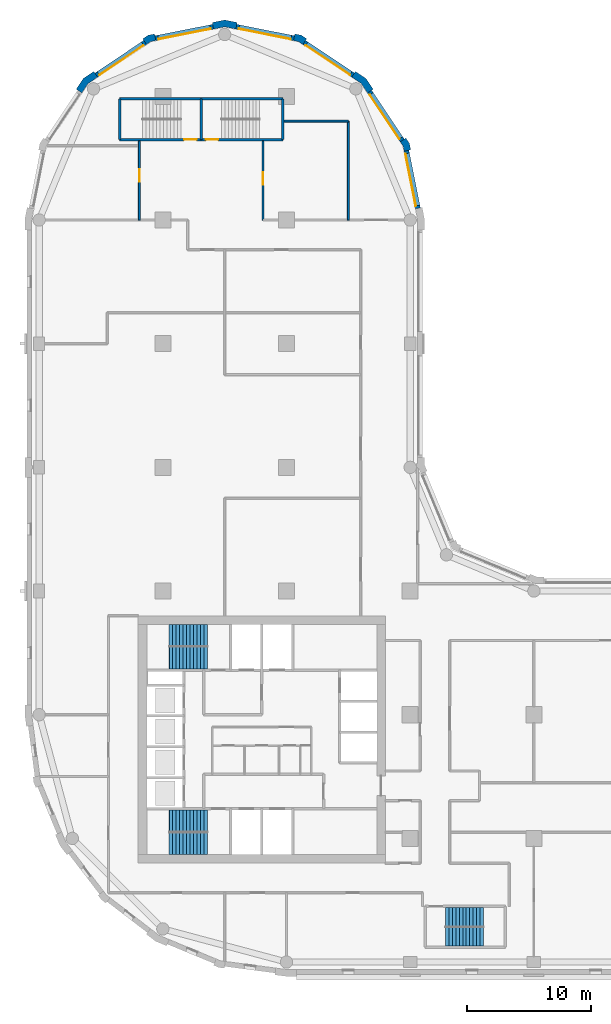
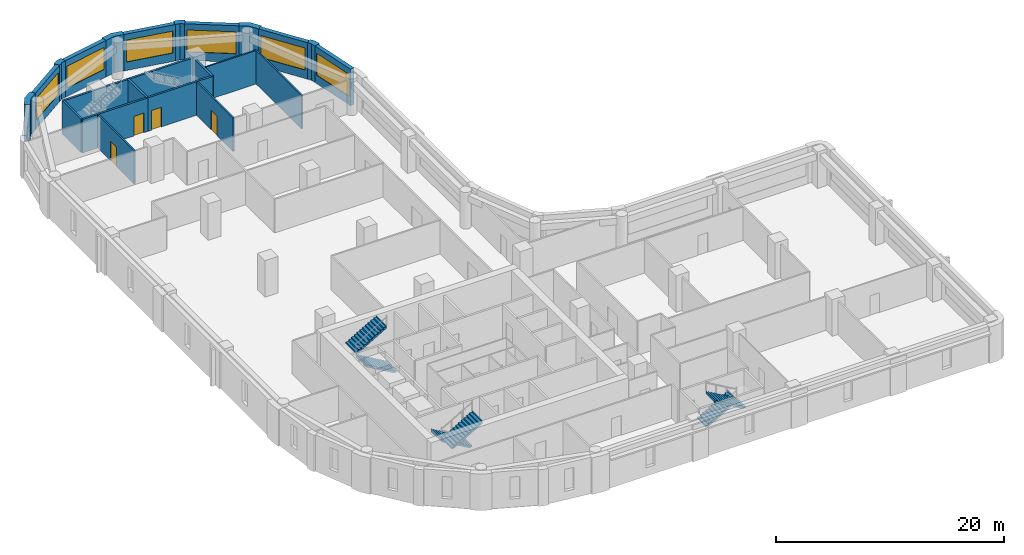
# One storey, part 6 of 9: 23 walls, 6 stair flights, 6 windows, 4 doors, 10 openings, 3 elements without a shape of their own.
"""IFC4 building model written with IfcOpenShell, lengths in metres."""

from ifc_helpers import new_model, si_unit, direction, frame, frame_2d, origin, place, context, subcontext, project, spatial, polyline, rectangle, outline, extrude, material, layer, layer_set, type_object, element, fill, aggregate, save


model = new_model("IFC4")

# Units and contexts
model_context = context("Model", 3, precision=1e-05, world=origin(), true_north=direction((0.0, 1.0)))
body_context = subcontext(model_context, "Body", "Model", "MODEL_VIEW")
ifc_project = project(units=[si_unit("LENGTHUNIT", "METRE"), si_unit("AREAUNIT", "SQUARE_METRE"), si_unit("VOLUMEUNIT", "CUBIC_METRE"), si_unit("PLANEANGLEUNIT", "RADIAN"), si_unit("MASSUNIT", "GRAM", prefix="KILO")], contexts=[model_context])

# Site, building, storey
site_placement = place(None, origin())
site = spatial("IfcSite", under=ifc_project, at=site_placement, CompositionType="ELEMENT")
building_placement = place(site_placement, origin())
building = spatial("IfcBuilding", under=site, at=building_placement, Name="Qaws Garden Tower", CompositionType="ELEMENT")
storey_placement = place(building_placement, frame((0.0, 0.0, 194.10009765625)))
storey = spatial("IfcBuildingStorey", under=building, at=storey_placement, Name="L47", CompositionType="ELEMENT", Elevation=194.10009765625)

# Wall, opening, window
ifc_material_1 = material(Name="Clay facing brick masonry", Category="masonry")
ifc_layer_1 = layer(ifc_material_1, 0.39990234375)
ifc_layer_set_1 = layer_set([ifc_layer_1], Name="Clay facing brick masonry")
wall_type_1 = type_object("IfcWallType", Name="Brick infill wall 400", PredefinedType="SOLIDWALL", material=ifc_layer_set_1)
wall_1_placement = place(storey_placement, frame((30.628662109375, 60.940673828125, 0.0), z_axis=(0.0, 0.0, 1.0), x_axis=(-0.195098533057, 0.98078364709, 0.0)))
wall_1 = element("IfcWall", 1, at=wall_1_placement, inside=storey, type_object=wall_type_1, Name="E-L47-infill-13", PredefinedType="SOLIDWALL", context=body_context, shape_type="SweptSolid", body=[
    extrude(rectangle(XDim=4.752685546875, YDim=0.39990234375, at=frame_2d((2.37646484375, 0.0))), origin(), (0.0, 0.0, 1.0), 3.89990234375),
])
opening_1_placement = place(wall_1_placement, frame((0.226318359375, 0.0, 0.89990234375)))
opening_1 = element("IfcOpeningElement", 2, at=opening_1_placement, cuts=wall_1, Name="Opening W06", PredefinedType="OPENING", context=body_context, shape_type="SweptSolid", body=[
    extrude(rectangle(XDim=4.300048828125, YDim=2.35009765625, at=frame_2d((2.14990234375, 1.175048828125))), frame((0.0, 0.2099609375, 0.0), z_axis=(0.0, -1.0, 0.0), x_axis=(1.0, 0.0, 0.0)), (0.0, 0.0, 1.0), 0.419921875),
])
ifc_material_2 = material(Name="Aluminium framed window, clear glazing", Category="aluminium")
window_type = type_object("IfcWindowType", Name="Ribbon window 4300 x 2350", PartitioningType="DOUBLE_PANEL_VERTICAL", PredefinedType="WINDOW", material=ifc_material_2)
window_1_placement = place(opening_1_placement, origin())
window_1 = element("IfcWindow", 3, at=window_1_placement, inside=storey, type_object=window_type, Name="E-L47-window-13-0", OverallHeight=2.35009765625, OverallWidth=4.300048828125, PartitioningType="SINGLE_PANEL", PredefinedType="WINDOW", context=body_context, shape_type="SweptSolid", body=[
    extrude(rectangle(XDim=4.300048828125, YDim=2.35009765625, at=frame_2d((2.14990234375, 1.175048828125))), frame((0.0, 0.159912109375, 0.0), z_axis=(0.0, -1.0, 0.0), x_axis=(1.0, 0.0, 0.0)), (0.0, 0.0, 1.0), 0.06005859375),
])
fill(opening_1, window_1)

wall_2_placement = place(storey_placement, frame((29.356689453125, 66.43408203125, 0.0), z_axis=(0.0, 0.0, 1.0), x_axis=(-0.555541552266, 0.831488775454, 0.0)))
wall_2 = element("IfcWall", 4, at=wall_2_placement, inside=storey, type_object=wall_type_1, Name="E-L47-infill-14", PredefinedType="SOLIDWALL", context=body_context, shape_type="SweptSolid", body=[
    extrude(rectangle(XDim=4.752685546875, YDim=0.39990234375, at=frame_2d((2.37646484375, 0.0))), origin(), (0.0, 0.0, 1.0), 3.89990234375),
])
opening_2_placement = place(wall_2_placement, frame((0.226318359375, 0.0, 0.89990234375)))
opening_2 = element("IfcOpeningElement", 5, at=opening_2_placement, cuts=wall_2, Name="Opening W06", PredefinedType="OPENING", context=body_context, shape_type="SweptSolid", body=[
    extrude(rectangle(XDim=4.300048828125, YDim=2.35009765625, at=frame_2d((2.14990234375, 1.175048828125))), frame((0.0, 0.2099609375, 0.0), z_axis=(0.0, -1.0, 0.0), x_axis=(1.0, 0.0, 0.0)), (0.0, 0.0, 1.0), 0.419921875),
])
window_2_placement = place(opening_2_placement, origin())
window_2 = element("IfcWindow", 6, at=window_2_placement, inside=storey, type_object=window_type, Name="E-L47-window-14-0", OverallHeight=2.35009765625, OverallWidth=4.300048828125, PartitioningType="SINGLE_PANEL", PredefinedType="WINDOW", context=body_context, shape_type="SweptSolid", body=[
    extrude(rectangle(XDim=4.300048828125, YDim=2.35009765625, at=frame_2d((2.14990234375, 1.175048828125))), frame((0.0, 0.159912109375, 0.0), z_axis=(0.0, -1.0, 0.0), x_axis=(1.0, 0.0, 0.0)), (0.0, 0.0, 1.0), 0.06005859375),
])
fill(opening_2, window_2)

wall_3_placement = place(storey_placement, frame((25.385986328125, 71.71630859375, 0.0), z_axis=(0.0, 0.0, 1.0), x_axis=(-0.831488775454, 0.555541552266, 0.0)))
wall_3 = element("IfcWall", 7, at=wall_3_placement, inside=storey, type_object=wall_type_1, Name="E-L47-infill-15", PredefinedType="SOLIDWALL", context=body_context, shape_type="SweptSolid", body=[
    extrude(rectangle(XDim=4.752685546875, YDim=0.39990234375, at=frame_2d((2.37646484375, 0.0))), origin(), (0.0, 0.0, 1.0), 3.89990234375),
])
opening_3_placement = place(wall_3_placement, frame((0.226318359375, 0.0, 0.89990234375)))
opening_3 = element("IfcOpeningElement", 8, at=opening_3_placement, cuts=wall_3, Name="Opening W06", PredefinedType="OPENING", context=body_context, shape_type="SweptSolid", body=[
    extrude(rectangle(XDim=4.300048828125, YDim=2.35009765625, at=frame_2d((2.14990234375, 1.175048828125))), frame((0.0, 0.2099609375, 0.0), z_axis=(0.0, -1.0, 0.0), x_axis=(1.0, 0.0, 0.0)), (0.0, 0.0, 1.0), 0.419921875),
])
window_3_placement = place(opening_3_placement, origin())
window_3 = element("IfcWindow", 9, at=window_3_placement, inside=storey, type_object=window_type, Name="E-L47-window-15-0", OverallHeight=2.35009765625, OverallWidth=4.300048828125, PartitioningType="SINGLE_PANEL", PredefinedType="WINDOW", context=body_context, shape_type="SweptSolid", body=[
    extrude(rectangle(XDim=4.300048828125, YDim=2.35009765625, at=frame_2d((2.14990234375, 1.175048828125))), frame((0.0, 0.159912109375, 0.0), z_axis=(0.0, -1.0, 0.0), x_axis=(1.0, 0.0, 0.0)), (0.0, 0.0, 1.0), 0.06005859375),
])
fill(opening_3, window_3)

wall_4_placement = place(storey_placement, frame((20.60205078125, 74.701416015625, 0.0), z_axis=(0.0, 0.0, 1.0), x_axis=(-0.98078364709, 0.195098533057, 0.0)))
wall_4 = element("IfcWall", 10, at=wall_4_placement, inside=storey, type_object=wall_type_1, Name="E-L47-infill-16", PredefinedType="SOLIDWALL", context=body_context, shape_type="SweptSolid", body=[
    extrude(rectangle(XDim=4.752685546875, YDim=0.39990234375, at=frame_2d((2.37646484375, 0.0))), origin(), (0.0, 0.0, 1.0), 3.89990234375),
])
opening_4_placement = place(wall_4_placement, frame((0.226318359375, 0.0, 0.89990234375)))
opening_4 = element("IfcOpeningElement", 11, at=opening_4_placement, cuts=wall_4, Name="Opening W06", PredefinedType="OPENING", context=body_context, shape_type="SweptSolid", body=[
    extrude(rectangle(XDim=4.300048828125, YDim=2.35009765625, at=frame_2d((2.14990234375, 1.175048828125))), frame((0.0, 0.2099609375, 0.0), z_axis=(0.0, -1.0, 0.0), x_axis=(1.0, 0.0, 0.0)), (0.0, 0.0, 1.0), 0.419921875),
])
window_4_placement = place(opening_4_placement, origin())
window_4 = element("IfcWindow", 12, at=window_4_placement, inside=storey, type_object=window_type, Name="E-L47-window-16-0", OverallHeight=2.35009765625, OverallWidth=4.300048828125, PartitioningType="SINGLE_PANEL", PredefinedType="WINDOW", context=body_context, shape_type="SweptSolid", body=[
    extrude(rectangle(XDim=4.300048828125, YDim=2.35009765625, at=frame_2d((2.14990234375, 1.175048828125))), frame((0.0, 0.159912109375, 0.0), z_axis=(0.0, -1.0, 0.0), x_axis=(1.0, 0.0, 0.0)), (0.0, 0.0, 1.0), 0.06005859375),
])
fill(opening_4, window_4)

wall_5_placement = place(storey_placement, frame((14.059326171875, 75.628662109375, 0.0), z_axis=(0.0, 0.0, 1.0), x_axis=(-0.98078364709, -0.195098533057, 0.0)))
wall_5 = element("IfcWall", 13, at=wall_5_placement, inside=storey, type_object=wall_type_1, Name="E-L47-infill-17", PredefinedType="SOLIDWALL", context=body_context, shape_type="SweptSolid", body=[
    extrude(rectangle(XDim=4.752685546875, YDim=0.39990234375, at=frame_2d((2.37646484375, 0.0))), origin(), (0.0, 0.0, 1.0), 3.89990234375),
])
opening_5_placement = place(wall_5_placement, frame((0.226318359375, 0.0, 0.89990234375)))
opening_5 = element("IfcOpeningElement", 14, at=opening_5_placement, cuts=wall_5, Name="Opening W06", PredefinedType="OPENING", context=body_context, shape_type="SweptSolid", body=[
    extrude(rectangle(XDim=4.300048828125, YDim=2.35009765625, at=frame_2d((2.14990234375, 1.175048828125))), frame((0.0, 0.2099609375, 0.0), z_axis=(0.0, -1.0, 0.0), x_axis=(1.0, 0.0, 0.0)), (0.0, 0.0, 1.0), 0.419921875),
])
window_5_placement = place(opening_5_placement, origin())
window_5 = element("IfcWindow", 15, at=window_5_placement, inside=storey, type_object=window_type, Name="E-L47-window-17-0", OverallHeight=2.35009765625, OverallWidth=4.300048828125, PartitioningType="SINGLE_PANEL", PredefinedType="WINDOW", context=body_context, shape_type="SweptSolid", body=[
    extrude(rectangle(XDim=4.300048828125, YDim=2.35009765625, at=frame_2d((2.14990234375, 1.175048828125))), frame((0.0, 0.159912109375, 0.0), z_axis=(0.0, -1.0, 0.0), x_axis=(1.0, 0.0, 0.0)), (0.0, 0.0, 1.0), 0.06005859375),
])
fill(opening_5, window_5)

wall_6_placement = place(storey_placement, frame((8.56591796875, 74.356689453125, 0.0), z_axis=(0.0, 0.0, 1.0), x_axis=(-0.831488775454, -0.555541552266, 0.0)))
wall_6 = element("IfcWall", 16, at=wall_6_placement, inside=storey, type_object=wall_type_1, Name="E-L47-infill-18", PredefinedType="SOLIDWALL", context=body_context, shape_type="SweptSolid", body=[
    extrude(rectangle(XDim=4.752685546875, YDim=0.39990234375, at=frame_2d((2.37646484375, 0.0))), origin(), (0.0, 0.0, 1.0), 3.89990234375),
])
opening_6_placement = place(wall_6_placement, frame((0.226318359375, 0.0, 0.89990234375)))
opening_6 = element("IfcOpeningElement", 17, at=opening_6_placement, cuts=wall_6, Name="Opening W06", PredefinedType="OPENING", context=body_context, shape_type="SweptSolid", body=[
    extrude(rectangle(XDim=4.300048828125, YDim=2.35009765625, at=frame_2d((2.14990234375, 1.175048828125))), frame((0.0, 0.2099609375, 0.0), z_axis=(0.0, -1.0, 0.0), x_axis=(1.0, 0.0, 0.0)), (0.0, 0.0, 1.0), 0.419921875),
])
window_6_placement = place(opening_6_placement, origin())
window_6 = element("IfcWindow", 18, at=window_6_placement, inside=storey, type_object=window_type, Name="E-L47-window-18-0", OverallHeight=2.35009765625, OverallWidth=4.300048828125, PartitioningType="SINGLE_PANEL", PredefinedType="WINDOW", context=body_context, shape_type="SweptSolid", body=[
    extrude(rectangle(XDim=4.300048828125, YDim=2.35009765625, at=frame_2d((2.14990234375, 1.175048828125))), frame((0.0, 0.159912109375, 0.0), z_axis=(0.0, -1.0, 0.0), x_axis=(1.0, 0.0, 0.0)), (0.0, 0.0, 1.0), 0.06005859375),
])
fill(opening_6, window_6)

# Walls
ifc_material_3 = material(Name="Clay facing brick masonry", Category="masonry")
ifc_layer_2 = layer(ifc_material_3, 0.550048828125)
ifc_layer_set_2 = layer_set([ifc_layer_2], Name="Clay facing brick masonry")
wall_type_2 = type_object("IfcWallType", Name="Brick kink pier 550 x 600", PredefinedType="SOLIDWALL", material=ifc_layer_set_2)
placement = place(storey_placement, origin())
element("IfcWall", 19, at=placement, inside=storey, type_object=wall_type_2, Name="E-L47-pier-14", PredefinedType="SOLIDWALL", context=body_context, shape_type="SweptSolid", body=[
    extrude(outline(polyline([(29.8974609375, 65.64111328125), (30.044677734375, 65.67041015625), (29.94140625, 66.18896484375), (29.647705078125, 66.628662109375), (29.52294921875, 66.545166015625), (29.1904296875, 66.322998046875), (29.42333984375, 65.974365234375), (29.505126953125, 65.56298828125), (29.8974609375, 65.64111328125)])), origin(), (0.0, 0.0, 1.0), 3.89990234375),
])
element("IfcWall", 20, at=placement, inside=storey, type_object=wall_type_2, Name="E-L47-pier-16", PredefinedType="SOLIDWALL", context=body_context, shape_type="SweptSolid", body=[
    extrude(outline(polyline([(21.545166015625, 74.52294921875), (21.628662109375, 74.647705078125), (21.18896484375, 74.94140625), (20.67041015625, 75.044677734375), (20.64111328125, 74.8974609375), (20.56298828125, 74.505126953125), (20.974365234375, 74.42333984375), (21.322998046875, 74.1904296875), (21.545166015625, 74.52294921875)])), origin(), (0.0, 0.0, 1.0), 3.89990234375),
])
element("IfcWall", 21, at=placement, inside=storey, type_object=wall_type_2, Name="E-L47-pier-18", PredefinedType="SOLIDWALL", context=body_context, shape_type="SweptSolid", body=[
    extrude(outline(polyline([(9.35888671875, 74.8974609375), (9.32958984375, 75.044677734375), (8.81103515625, 74.94140625), (8.371337890625, 74.647705078125), (8.454833984375, 74.52294921875), (8.677001953125, 74.1904296875), (9.025634765625, 74.42333984375), (9.43701171875, 74.505126953125), (9.35888671875, 74.8974609375)])), origin(), (0.0, 0.0, 1.0), 3.89990234375),
])
ifc_material_4 = material(Name="Clay facing brick masonry", Category="masonry")
ifc_layer_3 = layer(ifc_material_4, 0.550048828125)
ifc_layer_set_3 = layer_set([ifc_layer_3], Name="Clay facing brick masonry")
wall_type_3 = type_object("IfcWallType", Name="Brick pier 550 x 1600", PredefinedType="SOLIDWALL", material=ifc_layer_set_3)
element("IfcWall", 22, at=placement, inside=storey, type_object=wall_type_3, Name="E-L47-pier-15", PredefinedType="SOLIDWALL", context=body_context, shape_type="SweptSolid", body=[
    extrude(outline(polyline([(26.882568359375, 70.4970703125), (27.00732421875, 70.580322265625), (26.435791015625, 71.435791015625), (25.580322265625, 72.00732421875), (25.4970703125, 71.882568359375), (25.274658203125, 71.550048828125), (26.0390625, 71.0390625), (26.550048828125, 70.274658203125), (26.882568359375, 70.4970703125)])), origin(), (0.0, 0.0, 1.0), 3.89990234375),
])
element("IfcWall", 23, at=placement, inside=storey, type_object=wall_type_3, Name="E-L47-pier-17", PredefinedType="SOLIDWALL", context=body_context, shape_type="SweptSolid", body=[
    extrude(outline(polyline([(15.979736328125, 75.82470703125), (16.009033203125, 75.971923828125), (15.0, 76.172607421875), (13.990966796875, 75.971923828125), (14.020263671875, 75.82470703125), (14.098388671875, 75.432373046875), (15.0, 75.61181640625), (15.901611328125, 75.432373046875), (15.979736328125, 75.82470703125)])), origin(), (0.0, 0.0, 1.0), 3.89990234375),
])
element("IfcWall", 24, at=placement, inside=storey, type_object=wall_type_3, Name="E-L47-pier-19", PredefinedType="SOLIDWALL", context=body_context, shape_type="SweptSolid", body=[
    extrude(outline(polyline([(4.5029296875, 71.882568359375), (4.419677734375, 72.00732421875), (3.564208984375, 71.435791015625), (2.99267578125, 70.580322265625), (3.117431640625, 70.4970703125), (3.449951171875, 70.274658203125), (3.9609375, 71.0390625), (4.725341796875, 71.550048828125), (4.5029296875, 71.882568359375)])), origin(), (0.0, 0.0, 1.0), 3.89990234375),
])

# Wall, opening, door
ifc_material_5 = material(Name="Concrete C70", Category="concrete")
ifc_layer_4 = layer(ifc_material_5, 0.199951171875)
ifc_layer_set_4 = layer_set([ifc_layer_4], Name="Concrete C70")
wall_type_4 = type_object("IfcWallType", Name="Core shaft wall 200 C70", PredefinedType="SHEAR", material=ifc_layer_set_4)
wall_13_placement = place(storey_placement, frame((6.5, 66.5, 0.0), z_axis=(0.0, 0.0, 1.0), x_axis=(1.0, 0.0, 0.0)))
wall_13 = element("IfcWall", 25, at=wall_13_placement, inside=storey, type_object=wall_type_4, Name="Shaft wall", PredefinedType="SHEAR", context=body_context, shape_type="SweptSolid", body=[
    extrude(rectangle(XDim=6.60009765625, YDim=0.199951171875, at=frame_2d((3.300048828125, 0.0))), origin(), (0.0, 0.0, 1.0), 3.579833984375),
])
opening_7_placement = place(wall_13_placement, frame((5.22509765625, 0.0, 0.0)))
opening_7 = element("IfcOpeningElement", 26, at=opening_7_placement, cuts=wall_13, Name="Opening SD13", PredefinedType="OPENING", context=body_context, shape_type="SweptSolid", body=[
    extrude(rectangle(XDim=1.0, YDim=2.10009765625, at=frame_2d((0.5, 1.050048828125))), frame((0.0, 0.10986328125, 0.0), z_axis=(0.0, -1.0, 0.0), x_axis=(1.0, 0.0, 0.0)), (0.0, 0.0, 1.0), 0.219970703125),
])
ifc_material_6 = material(Name="Steel S235", Category="steel")
door_type_1 = type_object("IfcDoorType", Name="Stair door 1000x2100", OperationType="SINGLE_SWING_RIGHT", PredefinedType="DOOR", material=ifc_material_6)
door_1_placement = place(opening_7_placement, origin())
door_1 = element("IfcDoor", 27, at=door_1_placement, inside=storey, type_object=door_type_1, Name="Stair 6 door", OperationType="SINGLE_SWING_RIGHT", OverallHeight=2.10009765625, OverallWidth=1.0, PredefinedType="DOOR", context=body_context, shape_type="SweptSolid", body=[
    extrude(rectangle(XDim=1.0, YDim=2.10009765625, at=frame_2d((0.5, 1.050048828125))), frame((0.0, 0.02490234375, 0.0), z_axis=(0.0, -1.0, 0.0), x_axis=(1.0, 0.0, 0.0)), (0.0, 0.0, 1.0), 0.050048828125),
])
fill(opening_7, door_1)

wall_14_placement = place(storey_placement, frame((13.10009765625, 66.5, 0.0), z_axis=(0.0, 0.0, 1.0), x_axis=(1.0, 0.0, 0.0)))
wall_14 = element("IfcWall", 28, at=wall_14_placement, inside=storey, type_object=wall_type_4, Name="Shaft wall", PredefinedType="SHEAR", context=body_context, shape_type="SweptSolid", body=[
    extrude(rectangle(XDim=6.599853515625, YDim=0.199951171875, at=frame_2d((3.2998046875, 0.0))), origin(), (0.0, 0.0, 1.0), 3.579833984375),
])
opening_8_placement = place(wall_14_placement, frame((0.375, 0.0, 0.0)))
opening_8 = element("IfcOpeningElement", 29, at=opening_8_placement, cuts=wall_14, Name="Opening SD14", PredefinedType="OPENING", context=body_context, shape_type="SweptSolid", body=[
    extrude(rectangle(XDim=1.0, YDim=2.10009765625, at=frame_2d((0.5, 1.050048828125))), frame((0.0, 0.10986328125, 0.0), z_axis=(0.0, -1.0, 0.0), x_axis=(1.0, 0.0, 0.0)), (0.0, 0.0, 1.0), 0.219970703125),
])
door_2_placement = place(opening_8_placement, origin())
door_2 = element("IfcDoor", 30, at=door_2_placement, inside=storey, type_object=door_type_1, Name="Stair 7 door", OperationType="SINGLE_SWING_LEFT", OverallHeight=2.10009765625, OverallWidth=1.0, PredefinedType="DOOR", context=body_context, shape_type="SweptSolid", body=[
    extrude(rectangle(XDim=1.0, YDim=2.10009765625, at=frame_2d((0.5, 1.050048828125))), frame((0.0, 0.02490234375, 0.0), z_axis=(0.0, -1.0, 0.0), x_axis=(1.0, 0.0, 0.0)), (0.0, 0.0, 1.0), 0.050048828125),
])
fill(opening_8, door_2)

# Walls
wall_15_placement = place(storey_placement, frame((6.5, 69.800048828125, 0.0), z_axis=(0.0, 0.0, 1.0), x_axis=(1.0, 0.0, 0.0)))
element("IfcWall", 31, at=wall_15_placement, inside=storey, type_object=wall_type_4, Name="Shaft wall", PredefinedType="SHEAR", context=body_context, shape_type="SweptSolid", body=[
    extrude(rectangle(XDim=6.60009765625, YDim=0.199951171875, at=frame_2d((3.300048828125, 0.0))), origin(), (0.0, 0.0, 1.0), 3.579833984375),
])
wall_16_placement = place(storey_placement, frame((13.10009765625, 69.800048828125, 0.0), z_axis=(0.0, 0.0, 1.0), x_axis=(1.0, 0.0, 0.0)))
element("IfcWall", 32, at=wall_16_placement, inside=storey, type_object=wall_type_4, Name="Shaft wall", PredefinedType="SHEAR", context=body_context, shape_type="SweptSolid", body=[
    extrude(rectangle(XDim=6.599853515625, YDim=0.199951171875, at=frame_2d((3.2998046875, 0.0))), origin(), (0.0, 0.0, 1.0), 3.579833984375),
])
for number, where, z_axis, x_axis, name in (
    (33, (6.5, 66.5, 0.0), (0.0, 0.0, 1.0), (0.0, 1.0, 0.0), "Shaft wall"),
    (34, (13.10009765625, 66.5, 0.0), (0.0, 0.0, 1.0), (0.0, 1.0, 0.0), "Shaft wall"),
    (35, (19.699951171875, 66.5, 0.0), (0.0, 0.0, 1.0), (0.0, 1.0, 0.0), "Shaft wall"),
):
    element("IfcWall", number, at=place(storey_placement, frame(where, z_axis=z_axis, x_axis=x_axis)), inside=storey, type_object=wall_type_4, Name=name, PredefinedType="SHEAR", context=body_context, shape_type="SweptSolid", body=[
        extrude(rectangle(XDim=3.300048828125, YDim=0.199951171875, at=frame_2d((1.64990234375, 0.0))), origin(), (0.0, 0.0, 1.0), 3.579833984375),
    ])

# Wall, opening, door
ifc_material_7 = material(Name="Gypsum board partition")
ifc_layer_5 = layer(ifc_material_7, 0.14990234375)
ifc_layer_set_5 = layer_set([ifc_layer_5], Name="Gypsum board partition")
wall_type_5 = type_object("IfcWallType", Name="PARTITION 150 EI 60", PredefinedType="PARTITIONING", material=ifc_layer_set_5)
wall_17_placement = place(storey_placement, frame((8.10009765625, 60.0, 0.0), z_axis=(0.0, 0.0, 1.0), x_axis=(0.0, 1.0, 0.0)))
wall_17 = element("IfcWall", 36, at=wall_17_placement, inside=storey, type_object=wall_type_5, Name="O-L47-wall-005", PredefinedType="PARTITIONING", context=body_context, shape_type="SweptSolid", body=[
    extrude(rectangle(XDim=6.39990234375, YDim=0.14990234375, at=frame_2d((3.199951171875, 0.0))), origin(), (0.0, 0.0, 1.0), 3.579833984375),
])
opening_9_placement = place(wall_17_placement, frame((3.10009765625, 0.0, 0.0)))
opening_9 = element("IfcOpeningElement", 37, at=opening_9_placement, cuts=wall_17, Name="Opening B609", PredefinedType="OPENING", context=body_context, shape_type="SweptSolid", body=[
    extrude(rectangle(XDim=1.0, YDim=2.10009765625, at=frame_2d((0.5, 1.050048828125))), frame((0.0, 0.0849609375, 0.0), z_axis=(0.0, -1.0, 0.0), x_axis=(1.0, 0.0, 0.0)), (0.0, 0.0, 1.0), 0.169921875),
])
ifc_material_8 = material(Name="Timber door leaf", Category="wood")
door_type_2 = type_object("IfcDoorType", Name="TENANCY ENTRANCE DOOR 1000 X 2100", OperationType="SINGLE_SWING_LEFT", PredefinedType="DOOR", material=ifc_material_8)
door_3_placement = place(opening_9_placement, origin())
door_3 = element("IfcDoor", 38, at=door_3_placement, inside=storey, type_object=door_type_2, Name="O-L47-door-009", OperationType="SINGLE_SWING_LEFT", OverallHeight=2.10009765625, OverallWidth=1.0, PredefinedType="DOOR", context=body_context, shape_type="SweptSolid", body=[
    extrude(rectangle(XDim=1.0, YDim=2.10009765625, at=frame_2d((0.5, 1.050048828125))), frame((0.0, 0.02490234375, 0.0), z_axis=(0.0, -1.0, 0.0), x_axis=(1.0, 0.0, 0.0)), (0.0, 0.0, 1.0), 0.050048828125),
])
fill(opening_9, door_3)

wall_18_placement = place(storey_placement, frame((18.10009765625, 60.0, 0.0), z_axis=(0.0, 0.0, 1.0), x_axis=(0.0, 1.0, 0.0)))
wall_18 = element("IfcWall", 39, at=wall_18_placement, inside=storey, type_object=wall_type_5, Name="O-L47-wall-010", PredefinedType="PARTITIONING", context=body_context, shape_type="SweptSolid", body=[
    extrude(rectangle(XDim=6.39990234375, YDim=0.14990234375, at=frame_2d((3.199951171875, 0.0))), origin(), (0.0, 0.0, 1.0), 3.579833984375),
])
opening_10_placement = place(wall_18_placement, frame((2.85009765625, 0.0, 0.0)))
opening_10 = element("IfcOpeningElement", 40, at=opening_10_placement, cuts=wall_18, Name="Opening B610", PredefinedType="OPENING", context=body_context, shape_type="SweptSolid", body=[
    extrude(rectangle(XDim=1.0, YDim=2.10009765625, at=frame_2d((0.5, 1.050048828125))), frame((0.0, 0.0849609375, 0.0), z_axis=(0.0, -1.0, 0.0), x_axis=(1.0, 0.0, 0.0)), (0.0, 0.0, 1.0), 0.169921875),
])
door_4_placement = place(opening_10_placement, frame((1.0, 0.0, 0.0), z_axis=(0.0, 0.0, 1.0), x_axis=(-1.0, 0.0, 0.0)))
door_4 = element("IfcDoor", 41, at=door_4_placement, inside=storey, type_object=door_type_2, Name="O-L47-door-010", OperationType="SINGLE_SWING_RIGHT", OverallHeight=2.10009765625, OverallWidth=1.0, PredefinedType="DOOR", context=body_context, shape_type="SweptSolid", body=[
    extrude(rectangle(XDim=1.0, YDim=2.10009765625, at=frame_2d((0.5, 1.050048828125))), frame((0.0, 0.02490234375, 0.0), z_axis=(0.0, -1.0, 0.0), x_axis=(1.0, 0.0, 0.0)), (0.0, 0.0, 1.0), 0.050048828125),
])
fill(opening_10, door_4)

# Walls
wall_19_placement = place(storey_placement, frame((25.0, 60.0, 0.0), z_axis=(0.0, 0.0, 1.0), x_axis=(0.0, 1.0, 0.0)))
element("IfcWall", 42, at=wall_19_placement, inside=storey, type_object=wall_type_5, Name="O-L47-wall-012", PredefinedType="PARTITIONING", context=body_context, shape_type="SweptSolid", body=[
    extrude(rectangle(XDim=8.0, YDim=0.14990234375, at=frame_2d((4.0, 0.0))), origin(), (0.0, 0.0, 1.0), 3.579833984375),
])
wall_20_placement = place(storey_placement, frame((19.800048828125, 68.0, 0.0), z_axis=(0.0, 0.0, 1.0), x_axis=(1.0, 0.0, 0.0)))
element("IfcWall", 43, at=wall_20_placement, inside=storey, type_object=wall_type_5, Name="O-L47-wall-054", PredefinedType="PARTITIONING", context=body_context, shape_type="SweptSolid", body=[
    extrude(rectangle(XDim=5.199951171875, YDim=0.14990234375, at=frame_2d((2.60009765625, 0.0))), origin(), (0.0, 0.0, 1.0), 3.579833984375),
])

# Stair, stair flights
ifc_material_9 = material(Name="Concrete C40", Category="concrete")
stair_type_1 = type_object("IfcStairType", Name="Exit stair 1350", PredefinedType="HALF_TURN_STAIR", material=ifc_material_9)
stair_1 = element("IfcStair", 44, at=placement, inside=storey, type_object=stair_type_1, Name="Stair 5", PredefinedType="HALF_TURN_STAIR")
ifc_material_10 = material(Name="Concrete C40", Category="concrete")
stair_flight_type_1 = type_object("IfcStairFlightType", Name="Stair flight 1350", PredefinedType="STRAIGHT", material=ifc_material_10)
stair_flight_1_placement = place(storey_placement, frame((32.85009765625, 3.625, 0.0), z_axis=(0.0, 0.0, 1.0), x_axis=(1.0, 0.0, 0.0)))
stair_flight_1 = element("IfcStairFlight", 45, at=stair_flight_1_placement, type_object=stair_flight_type_1, Name="ST5 flight 1", NumberOfRisers=12, NumberOfTreads=11, PredefinedType="STRAIGHT", RiserHeight=0.1625, TreadLength=0.28, context=body_context, shape_type="SweptSolid", body=[
    extrude(outline(polyline([(-0.0029296875, 0.0), (-0.0029296875, 0.16259765625), (0.0, 0.16259765625), (0.280029296875, 0.16259765625), (0.280029296875, 0.324951171875), (0.56005859375, 0.324951171875), (0.56005859375, 0.487548828125), (0.840087890625, 0.487548828125), (0.840087890625, 0.64990234375), (1.1201171875, 0.64990234375), (1.1201171875, 0.8125), (1.39990234375, 0.8125), (1.39990234375, 0.97509765625), (1.679931640625, 0.97509765625), (1.679931640625, 1.137451171875), (1.9599609375, 1.137451171875), (1.9599609375, 1.300048828125), (2.239990234375, 1.300048828125), (2.239990234375, 1.46240234375), (2.52001953125, 1.46240234375), (2.52001953125, 1.625), (2.800048828125, 1.625), (2.800048828125, 1.78759765625), (3.080078125, 1.78759765625), (3.080078125, 1.949951171875), (3.0830078125, 1.949951171875), (3.0830078125, 1.6142578125), (3.080078125, 1.6142578125), (0.298583984375, 0.0), (-0.0029296875, 0.0)])), frame((0.0, 0.77490234375, 0.0), z_axis=(0.0, -1.0, 0.0), x_axis=(1.0, 0.0, 0.0)), (0.0, 0.0, 1.0), 1.550048828125),
])
stair_flight_2_placement = place(storey_placement, frame((35.929931640625, 2.074951171875, 1.949951171875), z_axis=(0.0, 0.0, 1.0), x_axis=(-1.0, 0.0, 0.0)))
stair_flight_2 = element("IfcStairFlight", 46, at=stair_flight_2_placement, type_object=stair_flight_type_1, Name="ST5 flight 2", NumberOfRisers=12, NumberOfTreads=11, PredefinedType="STRAIGHT", RiserHeight=0.1625, TreadLength=0.28, context=body_context, shape_type="SweptSolid", body=[
    extrude(outline(polyline([(-0.0029296875, 0.0), (-0.0029296875, 0.16259765625), (0.0, 0.16259765625), (0.280029296875, 0.16259765625), (0.280029296875, 0.324951171875), (0.56005859375, 0.324951171875), (0.56005859375, 0.487548828125), (0.840087890625, 0.487548828125), (0.840087890625, 0.64990234375), (1.1201171875, 0.64990234375), (1.1201171875, 0.8125), (1.39990234375, 0.8125), (1.39990234375, 0.97509765625), (1.679931640625, 0.97509765625), (1.679931640625, 1.137451171875), (1.9599609375, 1.137451171875), (1.9599609375, 1.300048828125), (2.239990234375, 1.300048828125), (2.239990234375, 1.46240234375), (2.52001953125, 1.46240234375), (2.52001953125, 1.625), (2.800048828125, 1.625), (2.800048828125, 1.78759765625), (3.080078125, 1.78759765625), (3.080078125, 1.949951171875), (3.0830078125, 1.949951171875), (3.0830078125, 1.6142578125), (3.080078125, 1.6142578125), (0.298583984375, 0.0), (-0.0029296875, 0.0)])), frame((0.0, 0.77490234375, 0.0), z_axis=(0.0, -1.0, 0.0), x_axis=(1.0, 0.0, 0.0)), (0.0, 0.0, 1.0), 1.550048828125),
])
aggregate(stair_1, [stair_flight_1, stair_flight_2])

ifc_material_11 = material(Name="Concrete C40", Category="concrete")
stair_type_2 = type_object("IfcStairType", Name="Exit stair 1500", PredefinedType="HALF_TURN_STAIR", material=ifc_material_11)
stair_2 = element("IfcStair", 47, at=placement, inside=storey, type_object=stair_type_2, Name="Stair 1", PredefinedType="HALF_TURN_STAIR")
ifc_material_12 = material(Name="Concrete C40", Category="concrete")
stair_flight_type_2 = type_object("IfcStairFlightType", Name="Stair flight 1500", PredefinedType="STRAIGHT", material=ifc_material_12)
stair_flight_3_placement = place(storey_placement, frame((13.60009765625, 11.39990234375, 0.0), z_axis=(0.0, 0.0, 1.0), x_axis=(-1.0, 0.0, 0.0)))
stair_flight_3 = element("IfcStairFlight", 48, at=stair_flight_3_placement, type_object=stair_flight_type_2, Name="ST1 flight 1", NumberOfRisers=12, NumberOfTreads=11, PredefinedType="STRAIGHT", RiserHeight=0.1625, TreadLength=0.28, context=body_context, shape_type="SweptSolid", body=[
    extrude(outline(polyline([(-0.0029296875, 0.0), (-0.0029296875, 0.16259765625), (0.0, 0.16259765625), (0.280029296875, 0.16259765625), (0.280029296875, 0.324951171875), (0.56005859375, 0.324951171875), (0.56005859375, 0.487548828125), (0.840087890625, 0.487548828125), (0.840087890625, 0.64990234375), (1.1201171875, 0.64990234375), (1.1201171875, 0.8125), (1.39990234375, 0.8125), (1.39990234375, 0.97509765625), (1.679931640625, 0.97509765625), (1.679931640625, 1.137451171875), (1.9599609375, 1.137451171875), (1.9599609375, 1.300048828125), (2.239990234375, 1.300048828125), (2.239990234375, 1.46240234375), (2.52001953125, 1.46240234375), (2.52001953125, 1.625), (2.800048828125, 1.625), (2.800048828125, 1.78759765625), (3.080078125, 1.78759765625), (3.080078125, 1.949951171875), (3.0830078125, 1.949951171875), (3.0830078125, 1.6142578125), (3.080078125, 1.6142578125), (0.298583984375, 0.0), (-0.0029296875, 0.0)])), frame((0.0, 0.89990234375, 0.0), z_axis=(0.0, -1.0, 0.0), x_axis=(1.0, 0.0, 0.0)), (0.0, 0.0, 1.0), 1.800048828125),
])
stair_flight_4_placement = place(storey_placement, frame((10.52001953125, 9.60009765625, 1.949951171875), z_axis=(0.0, 0.0, 1.0), x_axis=(1.0, 0.0, 0.0)))
stair_flight_4 = element("IfcStairFlight", 49, at=stair_flight_4_placement, type_object=stair_flight_type_2, Name="ST1 flight 2", NumberOfRisers=12, NumberOfTreads=11, PredefinedType="STRAIGHT", RiserHeight=0.1625, TreadLength=0.28, context=body_context, shape_type="SweptSolid", body=[
    extrude(outline(polyline([(-0.0029296875, 0.0), (-0.0029296875, 0.16259765625), (0.0, 0.16259765625), (0.280029296875, 0.16259765625), (0.280029296875, 0.324951171875), (0.56005859375, 0.324951171875), (0.56005859375, 0.487548828125), (0.840087890625, 0.487548828125), (0.840087890625, 0.64990234375), (1.1201171875, 0.64990234375), (1.1201171875, 0.8125), (1.39990234375, 0.8125), (1.39990234375, 0.97509765625), (1.679931640625, 0.97509765625), (1.679931640625, 1.137451171875), (1.9599609375, 1.137451171875), (1.9599609375, 1.300048828125), (2.239990234375, 1.300048828125), (2.239990234375, 1.46240234375), (2.52001953125, 1.46240234375), (2.52001953125, 1.625), (2.800048828125, 1.625), (2.800048828125, 1.78759765625), (3.080078125, 1.78759765625), (3.080078125, 1.949951171875), (3.0830078125, 1.949951171875), (3.0830078125, 1.6142578125), (3.080078125, 1.6142578125), (0.298583984375, 0.0), (-0.0029296875, 0.0)])), frame((0.0, 0.89990234375, 0.0), z_axis=(0.0, -1.0, 0.0), x_axis=(1.0, 0.0, 0.0)), (0.0, 0.0, 1.0), 1.800048828125),
])
aggregate(stair_2, [stair_flight_3, stair_flight_4])

stair_3 = element("IfcStair", 50, at=placement, inside=storey, type_object=stair_type_2, Name="Stair 4", PredefinedType="HALF_TURN_STAIR")
stair_flight_5_placement = place(storey_placement, frame((13.60009765625, 24.60009765625, 0.0), z_axis=(0.0, 0.0, 1.0), x_axis=(-1.0, 0.0, 0.0)))
stair_flight_5 = element("IfcStairFlight", 51, at=stair_flight_5_placement, type_object=stair_flight_type_2, Name="ST4 flight 1", NumberOfRisers=12, NumberOfTreads=11, PredefinedType="STRAIGHT", RiserHeight=0.1625, TreadLength=0.28, context=body_context, shape_type="SweptSolid", body=[
    extrude(outline(polyline([(-0.0029296875, 0.0), (-0.0029296875, 0.16259765625), (0.0, 0.16259765625), (0.280029296875, 0.16259765625), (0.280029296875, 0.324951171875), (0.56005859375, 0.324951171875), (0.56005859375, 0.487548828125), (0.840087890625, 0.487548828125), (0.840087890625, 0.64990234375), (1.1201171875, 0.64990234375), (1.1201171875, 0.8125), (1.39990234375, 0.8125), (1.39990234375, 0.97509765625), (1.679931640625, 0.97509765625), (1.679931640625, 1.137451171875), (1.9599609375, 1.137451171875), (1.9599609375, 1.300048828125), (2.239990234375, 1.300048828125), (2.239990234375, 1.46240234375), (2.52001953125, 1.46240234375), (2.52001953125, 1.625), (2.800048828125, 1.625), (2.800048828125, 1.78759765625), (3.080078125, 1.78759765625), (3.080078125, 1.949951171875), (3.0830078125, 1.949951171875), (3.0830078125, 1.6142578125), (3.080078125, 1.6142578125), (0.298583984375, 0.0), (-0.0029296875, 0.0)])), frame((0.0, 0.89501953125, 0.0), z_axis=(0.0, -1.0, 0.0), x_axis=(1.0, 0.0, 0.0)), (0.0, 0.0, 1.0), 1.7900390625),
])
stair_flight_6_placement = place(storey_placement, frame((10.52001953125, 26.39990234375, 1.949951171875), z_axis=(0.0, 0.0, 1.0), x_axis=(1.0, 0.0, 0.0)))
stair_flight_6 = element("IfcStairFlight", 52, at=stair_flight_6_placement, type_object=stair_flight_type_2, Name="ST4 flight 2", NumberOfRisers=12, NumberOfTreads=11, PredefinedType="STRAIGHT", RiserHeight=0.1625, TreadLength=0.28, context=body_context, shape_type="SweptSolid", body=[
    extrude(outline(polyline([(-0.0029296875, 0.0), (-0.0029296875, 0.16259765625), (0.0, 0.16259765625), (0.280029296875, 0.16259765625), (0.280029296875, 0.324951171875), (0.56005859375, 0.324951171875), (0.56005859375, 0.487548828125), (0.840087890625, 0.487548828125), (0.840087890625, 0.64990234375), (1.1201171875, 0.64990234375), (1.1201171875, 0.8125), (1.39990234375, 0.8125), (1.39990234375, 0.97509765625), (1.679931640625, 0.97509765625), (1.679931640625, 1.137451171875), (1.9599609375, 1.137451171875), (1.9599609375, 1.300048828125), (2.239990234375, 1.300048828125), (2.239990234375, 1.46240234375), (2.52001953125, 1.46240234375), (2.52001953125, 1.625), (2.800048828125, 1.625), (2.800048828125, 1.78759765625), (3.080078125, 1.78759765625), (3.080078125, 1.949951171875), (3.0830078125, 1.949951171875), (3.0830078125, 1.6142578125), (3.080078125, 1.6142578125), (0.298583984375, 0.0), (-0.0029296875, 0.0)])), frame((0.0, 0.89501953125, 0.0), z_axis=(0.0, -1.0, 0.0), x_axis=(1.0, 0.0, 0.0)), (0.0, 0.0, 1.0), 1.7900390625),
])
aggregate(stair_3, [stair_flight_5, stair_flight_6])

save(model, "model.ifc")
